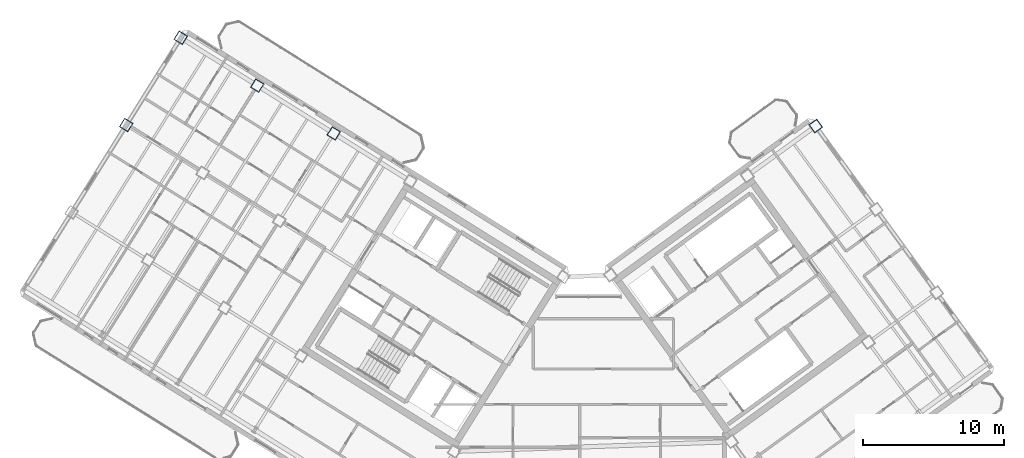
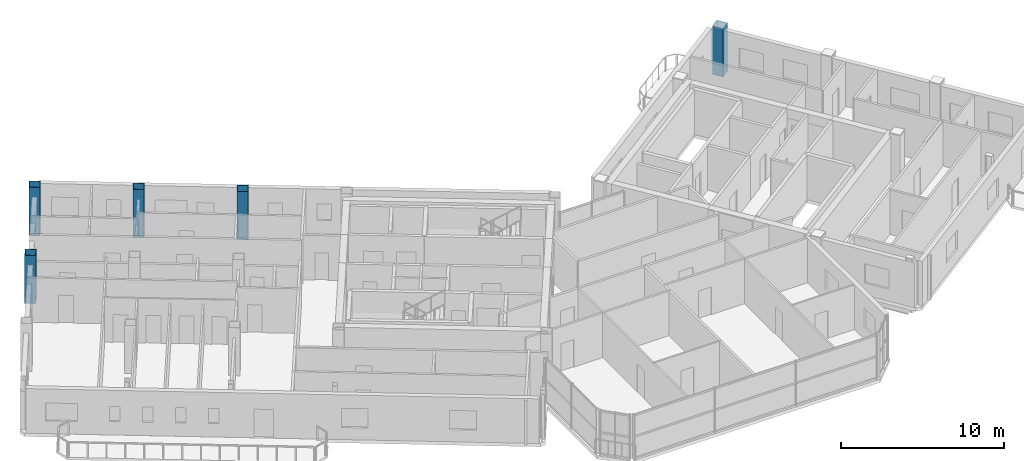
# One storey, part 3 of 25: 5 columns.
"""IFC4 building model written with IfcOpenShell, lengths in metres."""

import ifcopenshell
import ifcopenshell.guid

model = None  # the IFC model being written
_history = None  # IfcOwnerHistory: only IFC2X3 demands one
_inside = {}  # id of a spatial element -> (the spatial element, [elements in it])
_under = {}  # id of a project, library or spatial element -> (it, [spatial elements below it])
_declared = {}  # id of a project -> (the project, [libraries it declares])
_typed = {}  # id of a type object -> (the type object, [elements of that type])
_made_of = {}  # id of a material, layer set ... -> (it, [elements and type objects made of it])


def new_model(schema):
    """Start an empty IFC model of exactly this schema.

    Asked for "IFC4X3", IfcOpenShell would pick the latest addendum, in which some entities
    have other attributes; the version numbers below select the first issue.
    IFC2X3 requires an IfcOwnerHistory on every rooted entity: one is made here for all.
    """
    global model, _history
    if schema == "IFC4X3":
        model = ifcopenshell.file(schema_version=(4, 3, 0, 0))
    else:
        model = ifcopenshell.file(schema=schema)
    _inside.clear()
    _under.clear()
    _declared.clear()
    _typed.clear()
    _made_of.clear()
    _history = None
    if model.schema == "IFC2X3":
        org = make("IfcOrganization", Name="unknown")
        user = make(
            "IfcPersonAndOrganization",
            ThePerson=make("IfcPerson", FamilyName="unknown"),
            TheOrganization=org,
        )
        app = make(
            "IfcApplication",
            ApplicationDeveloper=org,
            Version="unknown",
            ApplicationFullName="unknown",
            ApplicationIdentifier="unknown",
        )
        _history = make(
            "IfcOwnerHistory",
            OwningUser=user,
            OwningApplication=app,
            ChangeAction="ADDED",
            CreationDate=0,
        )
    return model


def make(cls, **values):
    """One entity of the class cls with the attributes given. An attribute that is None is left unset."""
    return model.create_entity(
        cls, **{name: value for name, value in values.items() if value is not None}
    )


def rooted(cls, **values):
    """An entity with a GlobalId (a new one), such as an element, a storey or a relation."""
    return make(cls, GlobalId=ifcopenshell.guid.new(), OwnerHistory=_history, **values)


def si_unit(unit_type, name, prefix=None):
    """IfcSIUnit, for example si_unit("LENGTHUNIT", "METRE", prefix="MILLI")."""
    return make("IfcSIUnit", UnitType=unit_type, Prefix=prefix, Name=name)


def assignment(units):
    """IfcUnitAssignment: the units of a project."""
    return None if units is None else make("IfcUnitAssignment", Units=units)


def point(xyz):
    """IfcCartesianPoint."""
    return None if xyz is None else make("IfcCartesianPoint", Coordinates=xyz)


def direction(xyz):
    """IfcDirection."""
    return None if xyz is None else make("IfcDirection", DirectionRatios=xyz)


def frame(location, z_axis=None, x_axis=None):
    """IfcAxis2Placement3D, a coordinate frame: its origin and axes. An axis left out is left unset."""
    return make(
        "IfcAxis2Placement3D",
        Location=point(location),
        Axis=direction(z_axis),
        RefDirection=direction(x_axis),
    )


def frame_2d(location, x_axis=None):
    """IfcAxis2Placement2D, a coordinate frame in the plane: its origin and x axis."""
    return make(
        "IfcAxis2Placement2D", Location=point(location), RefDirection=direction(x_axis)
    )


def origin():
    """The frame at (0, 0, 0) with its axes left unset."""
    return frame((0.0, 0.0, 0.0))


def origin_2d():
    """The frame at (0, 0) in the plane with its x axis left unset."""
    return frame_2d((0.0, 0.0))


def place(relative_to, where):
    """IfcLocalPlacement: puts the frame where relative to a parent placement (None: the world)."""
    return make(
        "IfcLocalPlacement", PlacementRelTo=relative_to, RelativePlacement=where
    )


def context(
    kind, dimensions, precision=None, world=None, true_north=None, identifier=None
):
    """IfcGeometricRepresentationContext, for example the 3D "Model" context."""
    return make(
        "IfcGeometricRepresentationContext",
        ContextIdentifier=identifier,
        ContextType=kind,
        CoordinateSpaceDimension=dimensions,
        Precision=precision,
        WorldCoordinateSystem=world,
        TrueNorth=true_north,
    )


def subcontext(parent, identifier, kind, view, scale=None):
    """IfcGeometricRepresentationSubContext, for example "Body" below "Model"."""
    return make(
        "IfcGeometricRepresentationSubContext",
        ContextIdentifier=identifier,
        ContextType=kind,
        ParentContext=parent,
        TargetScale=scale,
        TargetView=view,
    )


def project(units=None, contexts=None):
    """IfcProject with its units and contexts."""
    return rooted(
        "IfcProject",
        Name="project",
        RepresentationContexts=contexts,
        UnitsInContext=assignment(units),
    )


def spatial(cls, under=None, at=None, **own):
    """A site, building, storey or space (cls), placed at a placement, below another one or the project."""
    s = rooted(cls, ObjectPlacement=at, **own)
    if under is not None:
        _under.setdefault(under.id(), (under, []))[1].append(s)
    return s


def profile(cls, at=None, kind="AREA", **sizes):
    """A parametric profile (cls). Its sizes go by their IFC names, for example OverallWidth=200.0."""
    return make(cls, ProfileType=kind, Position=at, **sizes)


def hollow_rectangle(**sizes):
    """IfcRectangleHollowProfileDef."""
    return profile("IfcRectangleHollowProfileDef", **sizes)


def extrude(swept, where, along, depth):
    """IfcExtrudedAreaSolid: the profile swept, set in the frame where, extruded along a direction by depth."""
    return make(
        "IfcExtrudedAreaSolid",
        SweptArea=swept,
        Position=where,
        ExtrudedDirection=direction(along),
        Depth=depth,
    )


def shape(context_of_items, identifier, shape_type, items):
    """IfcShapeRepresentation: the items that make up one representation, for example the "Body"."""
    return make(
        "IfcShapeRepresentation",
        ContextOfItems=context_of_items,
        RepresentationIdentifier=identifier,
        RepresentationType=shape_type,
        Items=items,
    )


def source(mapping_origin, context_of_items, identifier, shape_type, items):
    """IfcRepresentationMap: a shape defined once, which mapped items show again and again."""
    return make(
        "IfcRepresentationMap",
        MappingOrigin=mapping_origin,
        MappedRepresentation=shape(context_of_items, identifier, shape_type, items),
    )


def transform(
    local_origin,
    x_axis=None,
    y_axis=None,
    z_axis=None,
    scale=None,
    scale2=None,
    scale3=None,
    uniform=True,
):
    """IfcCartesianTransformationOperator3D, or its non-uniform kind. x_axis, y_axis, z_axis: its Axis1, 2, 3."""
    if uniform:
        return make(
            "IfcCartesianTransformationOperator3D",
            Axis1=direction(x_axis),
            Axis2=direction(y_axis),
            LocalOrigin=point(local_origin),
            Scale=scale,
            Axis3=direction(z_axis),
        )
    return make(
        "IfcCartesianTransformationOperator3DnonUniform",
        Axis1=direction(x_axis),
        Axis2=direction(y_axis),
        LocalOrigin=point(local_origin),
        Scale=scale,
        Axis3=direction(z_axis),
        Scale2=scale2,
        Scale3=scale3,
    )


def mapped(mapping_source, mapping_target):
    """IfcMappedItem: shows the shape of a source again, moved by a transform."""
    return make(
        "IfcMappedItem", MappingSource=mapping_source, MappingTarget=mapping_target
    )


def material(Name=None, Category=None):
    """IfcMaterial."""
    return make("IfcMaterial", Name=Name, Category=Category)


def material_profile(
    of_material, cross_section, Name=None, Category=None, Priority=None
):
    """IfcMaterialProfile: a cross section and its material."""
    return make(
        "IfcMaterialProfile",
        Name=Name,
        Material=of_material,
        Profile=cross_section,
        Priority=Priority,
        Category=Category,
    )


def profile_set(profiles, Name=None, composite=None):
    """IfcMaterialProfileSet."""
    return make(
        "IfcMaterialProfileSet",
        Name=Name,
        MaterialProfiles=profiles,
        CompositeProfile=composite,
    )


def made_of(thing, what):
    """Note that an element or type object is made of a material, layer set ...; save() writes the relation."""
    if what is not None:
        _made_of.setdefault(what.id(), (what, []))[1].append(thing)
    return thing


def type_object(cls, material=None, **own):
    """A type object (cls), such as IfcWallType, which elements share."""
    return made_of(rooted(cls, **own), material)


def element(
    cls,
    number,
    at=None,
    inside=None,
    cuts=None,
    type_object=None,
    material=None,
    context=None,
    identifier="Body",
    shape_type=None,
    held_by="IfcProductDefinitionShape",
    body=None,
    shapes=None,
    **own,
):
    """One element of the class cls, such as IfcWall. Its Tag is "e" and its number.

    at: its placement. inside: the storey or other place that contains it. cuts: it is an
    opening in that element (IfcRelVoidsElement). A single representation is given by context,
    identifier, shape_type and body (its items); several are given by shapes. held_by: the class
    of the entity that holds the representations. save() writes the other relations.
    """
    e = rooted(cls, Tag="e%d" % number, ObjectPlacement=at, **own)
    if body is not None:
        shapes = [shape(context, identifier, shape_type, body)]
    if shapes is not None:
        e.Representation = make(held_by, Representations=shapes)
    if inside is not None:
        _inside.setdefault(inside.id(), (inside, []))[1].append(e)
    if cuts is not None:
        rooted(
            "IfcRelVoidsElement", RelatingBuildingElement=cuts, RelatedOpeningElement=e
        )
    if type_object is not None:
        _typed.setdefault(type_object.id(), (type_object, []))[1].append(e)
    return made_of(e, material)


def aggregate(whole, parts):
    """IfcRelAggregates: a whole, such as a stair, and the parts it consists of."""
    return rooted("IfcRelAggregates", RelatingObject=whole, RelatedObjects=parts)


def save(model, path):
    """Write the relations noted so far, then the file.

    IfcRelAggregates (storeys below a building ...), IfcRelContainedInSpatialStructure (elements
    in a storey), IfcRelDefinesByType, IfcRelAssociatesMaterial and IfcRelDeclares: one each for
    every whole, place, type object, material and project.
    """
    for whole, parts in _under.values():
        aggregate(whole, parts)
    for where, things in _inside.values():
        rooted(
            "IfcRelContainedInSpatialStructure",
            RelatedElements=things,
            RelatingStructure=where,
        )
    for kind, things in _typed.values():
        rooted("IfcRelDefinesByType", RelatedObjects=things, RelatingType=kind)
    for what, things in _made_of.values():
        rooted("IfcRelAssociatesMaterial", RelatedObjects=things, RelatingMaterial=what)
    for by, libraries in _declared.values():
        rooted("IfcRelDeclares", RelatingContext=by, RelatedDefinitions=libraries)
    model.write(path)


model = new_model("IFC4")

# Units and contexts
model_context = context("Model", 3, precision=1e-05, world=origin(), true_north=direction((0.0, 1.0)))
body_context = subcontext(model_context, "Body", "Model", "MODEL_VIEW")
ifc_project = project(units=[si_unit("LENGTHUNIT", "METRE"), si_unit("AREAUNIT", "SQUARE_METRE"), si_unit("VOLUMEUNIT", "CUBIC_METRE"), si_unit("PLANEANGLEUNIT", "RADIAN"), si_unit("MASSUNIT", "GRAM", prefix="KILO")], contexts=[model_context])

# Site, building, storey
site_placement = place(None, origin())
site = spatial("IfcSite", under=ifc_project, at=site_placement, CompositionType="ELEMENT")
building_placement = place(site_placement, origin())
building = spatial("IfcBuilding", under=site, at=building_placement, Name="Tlacorven Tower", CompositionType="ELEMENT")
storey_placement = place(building_placement, frame((0.0, 0.0, 259.199951171875)))
storey = spatial("IfcBuildingStorey", under=building, at=storey_placement, Name="L65", CompositionType="ELEMENT", Elevation=259.199951171875)

# Columns
ifc_material = material(Name="Steel S460M", Category="steel")
ifc_material_profile = material_profile(ifc_material, hollow_rectangle(XDim=0.699951171875, YDim=0.699951171875, WallThickness=0.028076171875, at=origin_2d()), Name="BOX 700X700X28")
ifc_profile_set = profile_set([ifc_material_profile], Name="Steel S460M")
column_type = type_object("IfcColumnType", Name="COL-TWR-S4", PredefinedType="COLUMN", material=ifc_profile_set)
shared_shape = source(origin(), body_context, "Body", "SweptSolid", [
    extrude(hollow_rectangle(XDim=0.699951171875, YDim=0.699951171875, WallThickness=0.028076171875, at=origin_2d()), origin(), (0.0, 0.0, 1.0), 3.60009765625),
])
for number, where, z_axis, x_axis, name in (
    (1, (24.50048828125, 34.642822265625, 0.0), (0.0, 0.0, 1.0), (-0.848048096156, 0.529919264233, 0.0), "L65 column COL-L65-W4-1"),
    (2, (19.072998046875, 38.034423828125, 0.0), (0.0, 0.0, 1.0), (-0.848048096156, 0.529919264233, 0.0), "L65 column COL-L65-W5-1"),
    (3, (13.6455078125, 41.42578125, 0.0), (0.0, 0.0, 1.0), (-0.848048096156, 0.529919264233, 0.0), "L65 column COL-L65-W6-1"),
    (4, (9.777099609375, 35.235107421875, 0.0), (0.0, 0.0, 1.0), (-0.848048096156, 0.529919264233, 0.0), "L65 column COL-L65-W6-2"),
    (5, (58.68603515625, 35.165283203125, 0.0), (0.0, 0.0, 1.0), (0.809016994375, 0.587785252292, 0.0), "L65 column COL-L65-E4-4"),
):
    element("IfcColumn", number, at=place(storey_placement, frame(where, z_axis=z_axis, x_axis=x_axis)), inside=storey, type_object=column_type, Name=name, PredefinedType="COLUMN", context=body_context, shape_type="MappedRepresentation", body=[
        mapped(shared_shape, transform((0.0, 0.0, 0.0), scale=1.0)),
    ])

save(model, "model.ifc")
